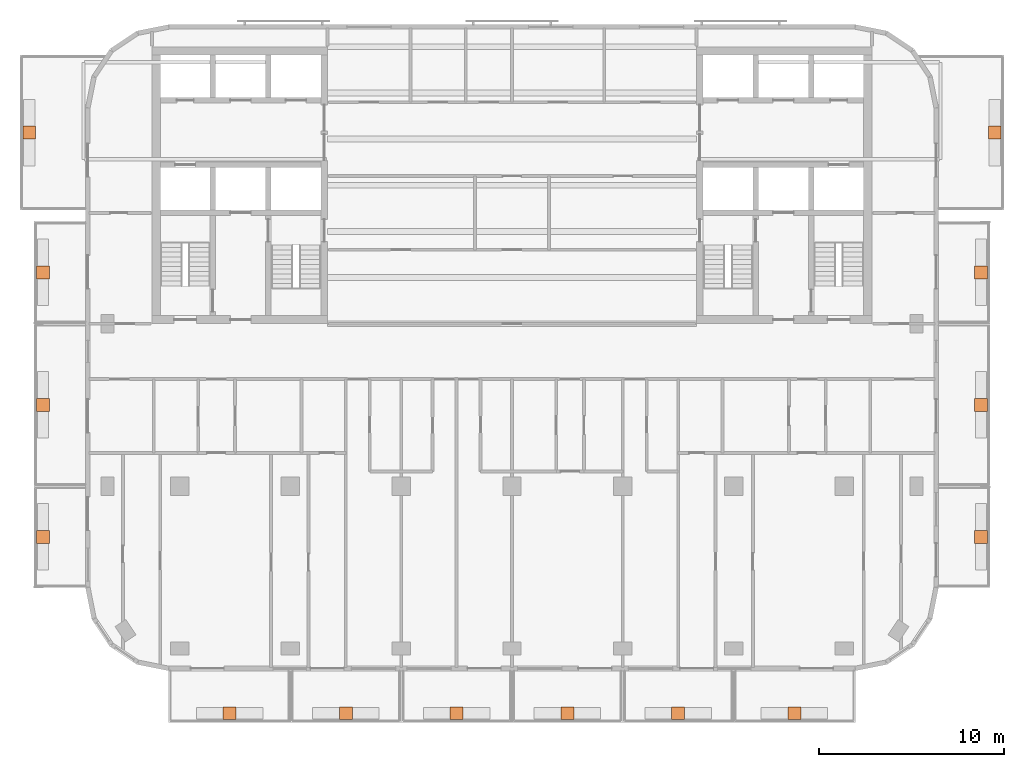
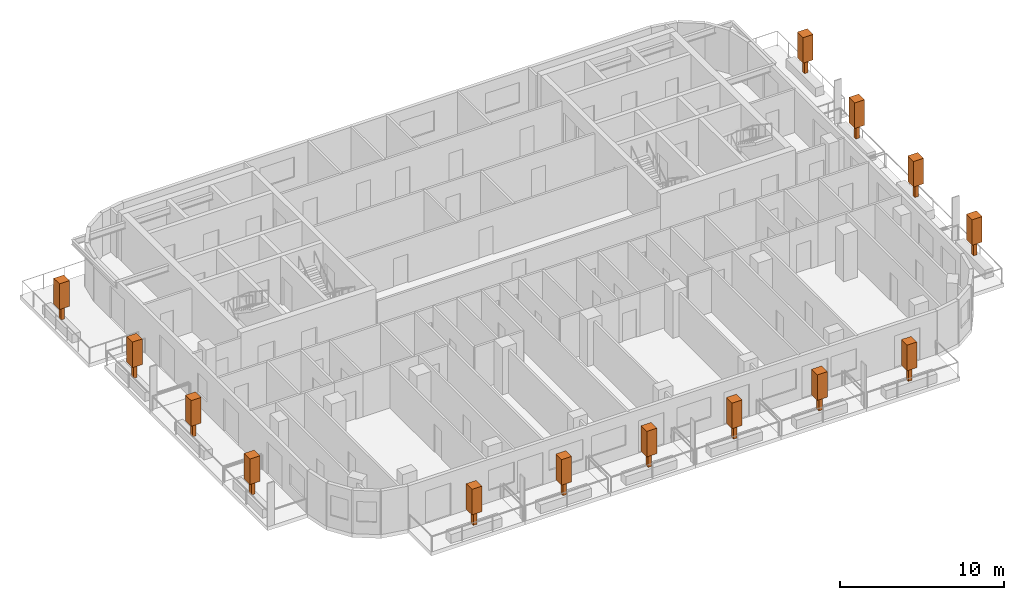
# One storey, part 11 of 11: 14 geographic elements.
"""IFC4 building model written with IfcOpenShell, lengths in metres."""

from ifc_helpers import new_model, si_unit, direction, frame, origin, origin_2d, place, context, subcontext, project, spatial, rectangle, extrude, material, element, save


model = new_model("IFC4")

# Units and contexts
model_context = context("Model", 3, precision=1e-05, world=origin(), true_north=direction((0.0, 1.0)))
body_context = subcontext(model_context, "Body", "Model", "MODEL_VIEW")
ifc_project = project(units=[si_unit("LENGTHUNIT", "METRE"), si_unit("AREAUNIT", "SQUARE_METRE"), si_unit("VOLUMEUNIT", "CUBIC_METRE"), si_unit("PLANEANGLEUNIT", "RADIAN"), si_unit("MASSUNIT", "GRAM", prefix="KILO")], contexts=[model_context])

# Site, building, storey
site_placement = place(None, origin())
site = spatial("IfcSite", under=ifc_project, at=site_placement, CompositionType="ELEMENT")
building_placement = place(site_placement, origin())
building = spatial("IfcBuilding", under=site, at=building_placement, Name="Torana Hotel and Residences", CompositionType="ELEMENT")
storey_placement = place(building_placement, frame((0.0, 0.0, 270.10009765625)))
storey = spatial("IfcBuildingStorey", under=building, at=storey_placement, Name="L71", CompositionType="ELEMENT", Elevation=270.10009765625)

# Geographic elements
ifc_material = material(Name="Foliage", Category="planting")
for number, where, z_axis, x_axis, name in (
    (1, (-15.300048828125, -36.10009765625, 0.64990234375), (0.0, 0.0, 1.0), (1.0, 0.0, 0.0), "Tree 01"),
    (2, (-9.0, -36.10009765625, 0.64990234375), (0.0, 0.0, 1.0), (1.0, 0.0, 0.0), "Tree 02"),
    (3, (-3.0, -36.10009765625, 0.64990234375), (0.0, 0.0, 1.0), (1.0, 0.0, 0.0), "Tree 03"),
    (4, (3.0, -36.10009765625, 0.64990234375), (0.0, 0.0, 1.0), (1.0, 0.0, 0.0), "Tree 04"),
    (5, (9.0, -36.10009765625, 0.64990234375), (0.0, 0.0, 1.0), (1.0, 0.0, 0.0), "Tree 05"),
    (6, (15.300048828125, -36.10009765625, 0.64990234375), (0.0, 0.0, 1.0), (1.0, 0.0, 0.0), "Tree 06"),
    (7, (-25.39990234375, -26.550048828125, 0.64990234375), (0.0, 0.0, 1.0), (1.0, 0.0, 0.0), "Tree 07"),
    (8, (-25.39990234375, -19.39990234375, 0.64990234375), (0.0, 0.0, 1.0), (1.0, 0.0, 0.0), "Tree 08"),
    (9, (-25.39990234375, -12.22509765625, 0.64990234375), (0.0, 0.0, 1.0), (1.0, 0.0, 0.0), "Tree 09"),
    (10, (-26.14990234375, -4.64990234375, 0.64990234375), (0.0, 0.0, 1.0), (1.0, 0.0, 0.0), "Tree 10"),
    (11, (25.39990234375, -26.550048828125, 0.64990234375), (0.0, 0.0, 1.0), (1.0, 0.0, 0.0), "Tree 11"),
    (12, (25.39990234375, -19.39990234375, 0.64990234375), (0.0, 0.0, 1.0), (1.0, 0.0, 0.0), "Tree 12"),
    (13, (25.39990234375, -12.22509765625, 0.64990234375), (0.0, 0.0, 1.0), (1.0, 0.0, 0.0), "Tree 13"),
    (14, (26.14990234375, -4.64990234375, 0.64990234375), (0.0, 0.0, 1.0), (1.0, 0.0, 0.0), "Tree 14"),
):
    element("IfcGeographicElement", number, at=place(storey_placement, frame(where, z_axis=z_axis, x_axis=x_axis)), inside=storey, material=ifc_material, Name=name, ObjectType="TREE", PredefinedType="USERDEFINED", context=body_context, shape_type="SweptSolid", body=[
        extrude(rectangle(XDim=0.25, YDim=0.25, at=origin_2d()), origin(), (0.0, 0.0, 1.0), 1.0),
        extrude(rectangle(XDim=0.699951171875, YDim=0.699951171875, at=origin_2d()), frame((0.0, 0.0, 1.0)), (0.0, 0.0, 1.0), 1.89990234375),
    ])

save(model, "model.ifc")
